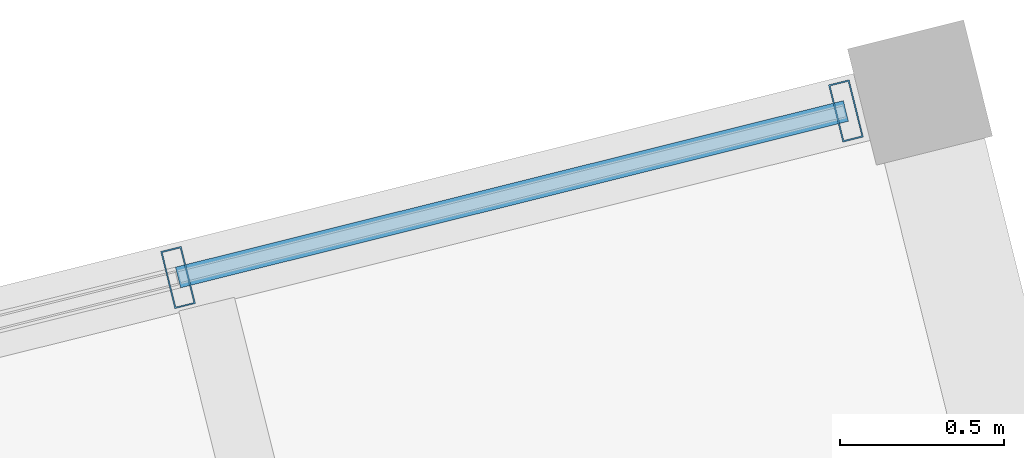
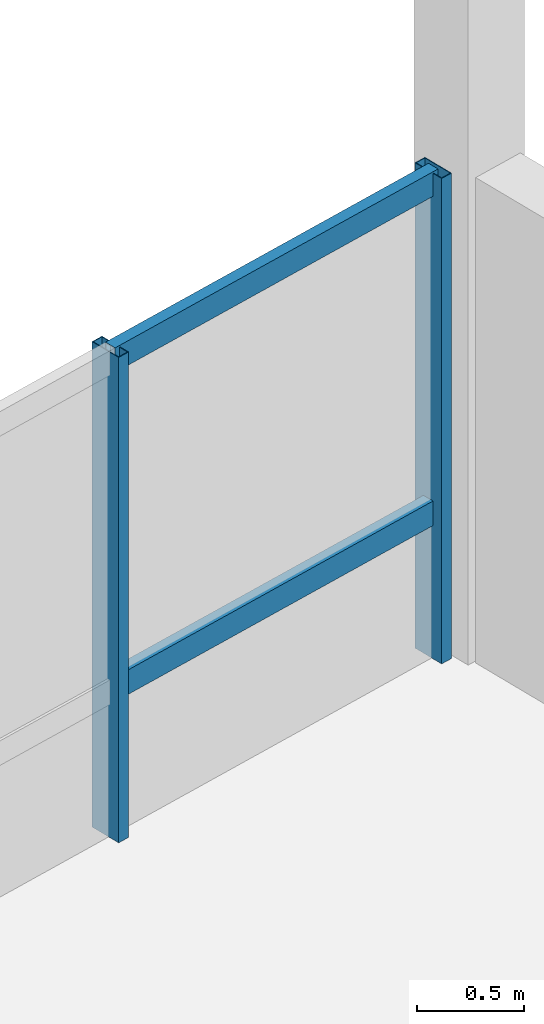
# One storey, part 20 of 26: 4 members, 1 element without a shape of its own.
"""IFC4 building model written with IfcOpenShell, lengths in metres."""

from ifc_helpers import new_model, si_unit, direction, frame, origin, origin_2d, place, context, subcontext, project, spatial, hollow_rectangle, extrude, material, layer, layer_set, material_profile, profile_set, type_object, element, aggregate, save


model = new_model("IFC4")

# Units and contexts
model_context = context("Model", 3, precision=1e-05, world=origin(), true_north=direction((0.0, 1.0)))
body_context = subcontext(model_context, "Body", "Model", "MODEL_VIEW")
ifc_project = project(units=[si_unit("LENGTHUNIT", "METRE"), si_unit("AREAUNIT", "SQUARE_METRE"), si_unit("VOLUMEUNIT", "CUBIC_METRE"), si_unit("PLANEANGLEUNIT", "RADIAN"), si_unit("MASSUNIT", "GRAM", prefix="KILO")], contexts=[model_context])

# Site, building, storey
site_placement = place(None, origin())
site = spatial("IfcSite", under=ifc_project, at=site_placement, CompositionType="ELEMENT")
building_placement = place(site_placement, origin())
building = spatial("IfcBuilding", under=site, at=building_placement, Name="Meriwether Solvik Hall", CompositionType="ELEMENT")
storey_placement = place(building_placement, frame((0.0, 0.0, 41.699951171875)))
storey = spatial("IfcBuildingStorey", under=building, at=storey_placement, Name="L10", CompositionType="ELEMENT", Elevation=41.699951171875)

# Curtain wall, members
ifc_material_1 = material(Name="Thermally Broken Anodised Aluminium 6063-T6 and Low-E Glass", Category="aluminium")
ifc_layer = layer(ifc_material_1, 0.179931640625)
ifc_layer_set = layer_set([ifc_layer], Name="Thermally Broken Anodised Aluminium 6063-T6 and Low-E Glass")
curtain_wall_type = type_object("IfcCurtainWallType", Name="CW-UNIT-D", PredefinedType="USERDEFINED", material=ifc_layer_set)
curtain_wall_placement = place(storey_placement, origin())
curtain_wall = element("IfcCurtainWall", 1, at=curtain_wall_placement, inside=storey, type_object=curtain_wall_type, Name="Curtain Wall E6_B4 (L10)", ObjectType="UNITISED CURTAIN WALL", PredefinedType="USERDEFINED")
ifc_material_2 = material(Name="Anodised Aluminium 6063-T6", Category="aluminium")
ifc_material_profile_1 = material_profile(ifc_material_2, hollow_rectangle(XDim=0.06494140625, YDim=0.179931640625, WallThickness=0.00439453125, at=origin_2d()), Name="CWM-65X180")
ifc_profile_set_1 = profile_set([ifc_material_profile_1], Name="Anodised Aluminium 6063-T6")
member_type_1 = type_object("IfcMemberType", Name="CW-MUL-65X180", PredefinedType="MULLION", material=ifc_profile_set_1)
member_1_placement = place(storey_placement, frame((93.04296875, 82.335205078125, 0.0), z_axis=(0.0, 0.0, 1.0), x_axis=(0.970295737161, 0.241921851942, 0.0)))
member_1 = element("IfcMember", 2, at=member_1_placement, type_object=member_type_1, Name="Curtain Wall Mullion 3", PredefinedType="MULLION", context=body_context, shape_type="SweptSolid", body=[
    extrude(hollow_rectangle(XDim=0.06494140625, YDim=0.179931640625, WallThickness=0.00439453125, at=origin_2d()), origin(), (0.0, 0.0, 1.0), 2.77001953125),
])
member_2_placement = place(storey_placement, frame((95.07958984375, 82.843017578125, 0.0), z_axis=(0.0, 0.0, 1.0), x_axis=(0.970295737161, 0.241921851942, 0.0)))
member_2 = element("IfcMember", 3, at=member_2_placement, type_object=member_type_1, Name="Curtain Wall Mullion 4", PredefinedType="MULLION", context=body_context, shape_type="SweptSolid", body=[
    extrude(hollow_rectangle(XDim=0.06494140625, YDim=0.179931640625, WallThickness=0.00439453125, at=origin_2d()), origin(), (0.0, 0.0, 1.0), 2.77001953125),
])
ifc_material_3 = material(Name="Anodised Aluminium 6063-T6", Category="aluminium")
ifc_material_profile_2 = material_profile(ifc_material_3, hollow_rectangle(XDim=0.06494140625, YDim=0.139892578125, WallThickness=0.00439453125, at=origin_2d()), Name="CWT-65X140")
ifc_profile_set_2 = profile_set([ifc_material_profile_2], Name="Anodised Aluminium 6063-T6")
member_type_2 = type_object("IfcMemberType", Name="CW-TRN-65X140", PredefinedType="USERDEFINED", material=ifc_profile_set_2)
member_3_placement = place(storey_placement, frame((93.04296875, 82.335205078125, 0.8310546875), z_axis=(0.970292837531, 0.241933481427, 0.0), x_axis=(-0.241933481427, 0.970292837531, 0.0)))
member_3 = element("IfcMember", 4, at=member_3_placement, type_object=member_type_2, Name="Curtain Wall Transom 3-sill", ObjectType="TRANSOM", PredefinedType="USERDEFINED", context=body_context, shape_type="SweptSolid", body=[
    extrude(hollow_rectangle(XDim=0.06494140625, YDim=0.139892578125, WallThickness=0.00439453125, at=origin_2d()), origin(), (0.0, 0.0, 1.0), 2.098876953125),
])
member_4_placement = place(storey_placement, frame((93.04296875, 82.335205078125, 2.7099609375), z_axis=(0.970292837531, 0.241933481427, 0.0), x_axis=(-0.241933481427, 0.970292837531, 0.0)))
member_4 = element("IfcMember", 5, at=member_4_placement, type_object=member_type_2, Name="Curtain Wall Transom 3-head", ObjectType="TRANSOM", PredefinedType="USERDEFINED", context=body_context, shape_type="SweptSolid", body=[
    extrude(hollow_rectangle(XDim=0.06494140625, YDim=0.139892578125, WallThickness=0.00439453125, at=origin_2d()), origin(), (0.0, 0.0, 1.0), 2.098876953125),
])
aggregate(curtain_wall, [member_1, member_2, member_3, member_4])

save(model, "model.ifc")
